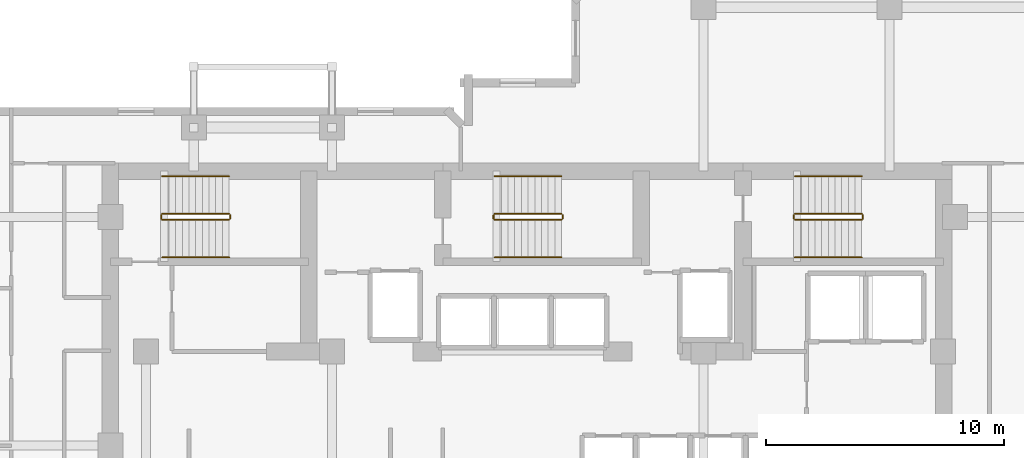
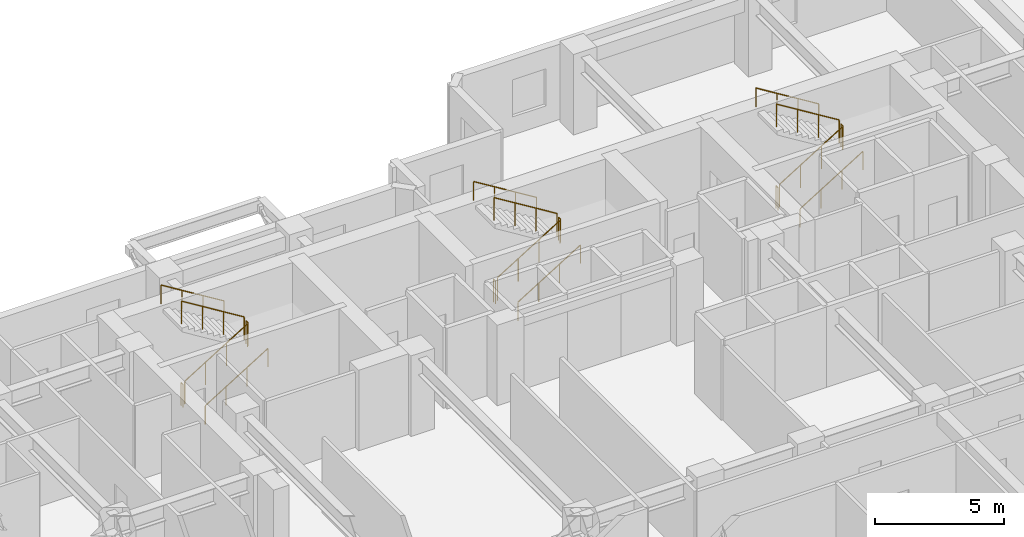
# One storey, part 11 of 11: 18 railings.
"""IFC4 building model written with IfcOpenShell, lengths in metres."""

from ifc_helpers import new_model, si_unit, direction, frame, origin, origin_2d, place, context, subcontext, project, spatial, circle, extrude, material, type_object, element, save


model = new_model("IFC4")

# Units and contexts
model_context = context("Model", 3, precision=1e-05, world=origin(), true_north=direction((0.0, 1.0)))
body_context = subcontext(model_context, "Body", "Model", "MODEL_VIEW")
ifc_project = project(units=[si_unit("LENGTHUNIT", "METRE"), si_unit("AREAUNIT", "SQUARE_METRE"), si_unit("VOLUMEUNIT", "CUBIC_METRE"), si_unit("PLANEANGLEUNIT", "RADIAN"), si_unit("MASSUNIT", "GRAM", prefix="KILO")], contexts=[model_context])

# Site, building, storey
site_placement = place(None, origin())
site = spatial("IfcSite", under=ifc_project, at=site_placement, CompositionType="ELEMENT")
building_placement = place(site_placement, origin())
building = spatial("IfcBuilding", under=site, at=building_placement, Name="Kestravale Grand Hotel", CompositionType="ELEMENT")
storey_placement = place(building_placement, frame((0.0, 0.0, 172.60009765625)))
storey = spatial("IfcBuildingStorey", under=building, at=storey_placement, Name="L43", CompositionType="ELEMENT", Elevation=172.60009765625)

# Railings
ifc_material_1 = material(Name="Painted tubular steel stair well guard", Category="steel")
railing_type_1 = type_object("IfcRailingType", Name="RL-ST-GRD1100", PredefinedType="GUARDRAIL", material=ifc_material_1)
railing_1_placement = place(storey_placement, frame((24.080078125, 38.280029296875, 0.172607421875)))
element("IfcRailing", 1, at=railing_1_placement, inside=storey, type_object=railing_type_1, Name="L43 ST-1 stair guard 1", PredefinedType="GUARDRAIL", context=body_context, shape_type="SweptSolid", body=[
    extrude(circle(Radius=0.02392578125, at=origin_2d()), frame((0.0, 0.0, 1.076171875), z_axis=(0.851069175582, 0.0, 0.525053576669), x_axis=(0.0, 1.0, 0.0)), (0.0, 0.0, 1.0), 3.289794921875),
    extrude(circle(Radius=0.02099609375, at=origin_2d()), origin(), (0.0, 0.0, 1.0), 1.052001953125),
    extrude(circle(Radius=0.02099609375, at=origin_2d()), frame((0.933349609375, 0.0, 0.57568359375)), (0.0, 0.0, 1.0), 1.052001953125),
    extrude(circle(Radius=0.02099609375, at=origin_2d()), frame((1.866455078125, 0.0, 1.151611328125)), (0.0, 0.0, 1.0), 1.052001953125),
    extrude(circle(Radius=0.02099609375, at=origin_2d()), frame((2.7998046875, 0.0, 1.727294921875)), (0.0, 0.0, 1.0), 1.052001953125),
])
railing_2_placement = place(storey_placement, frame((26.929931640625, 38.330078125, 1.89990234375)))
element("IfcRailing", 2, at=railing_2_placement, inside=storey, type_object=railing_type_1, Name="L43 ST-1 stair guard 2", PredefinedType="GUARDRAIL", context=body_context, shape_type="SweptSolid", body=[
    extrude(circle(Radius=0.02392578125, at=origin_2d()), frame((0.0, 0.0, 1.076171875), z_axis=(0.0, 1.0, 0.0), x_axis=(-1.0, 0.0, 0.0)), (0.0, 0.0, 1.0), 0.14990234375),
    extrude(circle(Radius=0.02099609375, at=origin_2d()), origin(), (0.0, 0.0, 1.0), 1.052001953125),
    extrude(circle(Radius=0.02099609375, at=origin_2d()), frame((0.0, 0.14990234375, 0.0)), (0.0, 0.0, 1.0), 1.052001953125),
])
railing_3_placement = place(storey_placement, frame((26.8798828125, 38.530029296875, 2.072509765625)))
element("IfcRailing", 3, at=railing_3_placement, inside=storey, type_object=railing_type_1, Name="L43 ST-1 stair guard 3", PredefinedType="GUARDRAIL", context=body_context, shape_type="SweptSolid", body=[
    extrude(circle(Radius=0.02392578125, at=origin_2d()), frame((0.0, 0.0, 1.076171875), z_axis=(-0.851069175582, 0.0, 0.525053576669), x_axis=(0.0, -1.0, 0.0)), (0.0, 0.0, 1.0), 3.289794921875),
    extrude(circle(Radius=0.02099609375, at=origin_2d()), origin(), (0.0, 0.0, 1.0), 1.052001953125),
    extrude(circle(Radius=0.02099609375, at=origin_2d()), frame((-0.933349609375, 0.0, 0.57568359375)), (0.0, 0.0, 1.0), 1.052001953125),
    extrude(circle(Radius=0.02099609375, at=origin_2d()), frame((-1.866455078125, 0.0, 1.151611328125)), (0.0, 0.0, 1.0), 1.052001953125),
    extrude(circle(Radius=0.02099609375, at=origin_2d()), frame((-2.7998046875, 0.0, 1.727294921875)), (0.0, 0.0, 1.0), 1.052001953125),
])
railing_4_placement = place(storey_placement, frame((24.030029296875, 38.330078125, 0.0)))
element("IfcRailing", 4, at=railing_4_placement, inside=storey, type_object=railing_type_1, Name="L43 ST-1 stair guard 4", PredefinedType="GUARDRAIL", context=body_context, shape_type="SweptSolid", body=[
    extrude(circle(Radius=0.02392578125, at=origin_2d()), frame((0.0, 0.0, 1.076171875), z_axis=(0.0, 1.0, 0.0), x_axis=(-1.0, 0.0, 0.0)), (0.0, 0.0, 1.0), 0.14990234375),
    extrude(circle(Radius=0.02099609375, at=origin_2d()), origin(), (0.0, 0.0, 1.0), 1.052001953125),
    extrude(circle(Radius=0.02099609375, at=origin_2d()), frame((0.0, 0.14990234375, 0.0)), (0.0, 0.0, 1.0), 1.052001953125),
])
railing_5_placement = place(storey_placement, frame((38.030029296875, 38.280029296875, 0.172607421875)))
element("IfcRailing", 5, at=railing_5_placement, inside=storey, type_object=railing_type_1, Name="L43 ST-2 stair guard 1", PredefinedType="GUARDRAIL", context=body_context, shape_type="SweptSolid", body=[
    extrude(circle(Radius=0.02392578125, at=origin_2d()), frame((0.0, 0.0, 1.076171875), z_axis=(0.851089632645, 0.0, 0.525020415988), x_axis=(0.0, 1.0, 0.0)), (0.0, 0.0, 1.0), 3.2900390625),
    extrude(circle(Radius=0.02099609375, at=origin_2d()), origin(), (0.0, 0.0, 1.0), 1.052001953125),
    extrude(circle(Radius=0.02099609375, at=origin_2d()), frame((0.933349609375, 0.0, 0.57568359375)), (0.0, 0.0, 1.0), 1.052001953125),
    extrude(circle(Radius=0.02099609375, at=origin_2d()), frame((1.86669921875, 0.0, 1.151611328125)), (0.0, 0.0, 1.0), 1.052001953125),
    extrude(circle(Radius=0.02099609375, at=origin_2d()), frame((2.800048828125, 0.0, 1.727294921875)), (0.0, 0.0, 1.0), 1.052001953125),
])
railing_6_placement = place(storey_placement, frame((40.8798828125, 38.330078125, 1.89990234375)))
element("IfcRailing", 6, at=railing_6_placement, inside=storey, type_object=railing_type_1, Name="L43 ST-2 stair guard 2", PredefinedType="GUARDRAIL", context=body_context, shape_type="SweptSolid", body=[
    extrude(circle(Radius=0.02392578125, at=origin_2d()), frame((0.0, 0.0, 1.076171875), z_axis=(0.0, 1.0, 0.0), x_axis=(-1.0, 0.0, 0.0)), (0.0, 0.0, 1.0), 0.14990234375),
    extrude(circle(Radius=0.02099609375, at=origin_2d()), origin(), (0.0, 0.0, 1.0), 1.052001953125),
    extrude(circle(Radius=0.02099609375, at=origin_2d()), frame((0.0, 0.14990234375, 0.0)), (0.0, 0.0, 1.0), 1.052001953125),
])
railing_7_placement = place(storey_placement, frame((40.830078125, 38.530029296875, 2.072509765625)))
element("IfcRailing", 7, at=railing_7_placement, inside=storey, type_object=railing_type_1, Name="L43 ST-2 stair guard 3", PredefinedType="GUARDRAIL", context=body_context, shape_type="SweptSolid", body=[
    extrude(circle(Radius=0.02392578125, at=origin_2d()), frame((0.0, 0.0, 1.076171875), z_axis=(-0.851089632645, 0.0, 0.525020415988), x_axis=(0.0, -1.0, 0.0)), (0.0, 0.0, 1.0), 3.2900390625),
    extrude(circle(Radius=0.02099609375, at=origin_2d()), origin(), (0.0, 0.0, 1.0), 1.052001953125),
    extrude(circle(Radius=0.02099609375, at=origin_2d()), frame((-0.933349609375, 0.0, 0.57568359375)), (0.0, 0.0, 1.0), 1.052001953125),
    extrude(circle(Radius=0.02099609375, at=origin_2d()), frame((-1.86669921875, 0.0, 1.151611328125)), (0.0, 0.0, 1.0), 1.052001953125),
    extrude(circle(Radius=0.02099609375, at=origin_2d()), frame((-2.800048828125, 0.0, 1.727294921875)), (0.0, 0.0, 1.0), 1.052001953125),
])
railing_8_placement = place(storey_placement, frame((37.97998046875, 38.330078125, 0.0)))
element("IfcRailing", 8, at=railing_8_placement, inside=storey, type_object=railing_type_1, Name="L43 ST-2 stair guard 4", PredefinedType="GUARDRAIL", context=body_context, shape_type="SweptSolid", body=[
    extrude(circle(Radius=0.02392578125, at=origin_2d()), frame((0.0, 0.0, 1.076171875), z_axis=(0.0, 1.0, 0.0), x_axis=(-1.0, 0.0, 0.0)), (0.0, 0.0, 1.0), 0.14990234375),
    extrude(circle(Radius=0.02099609375, at=origin_2d()), origin(), (0.0, 0.0, 1.0), 1.052001953125),
    extrude(circle(Radius=0.02099609375, at=origin_2d()), frame((0.0, 0.14990234375, 0.0)), (0.0, 0.0, 1.0), 1.052001953125),
])
railing_9_placement = place(storey_placement, frame((50.6298828125, 38.280029296875, 0.172607421875)))
element("IfcRailing", 9, at=railing_9_placement, inside=storey, type_object=railing_type_1, Name="L43 ST-3 stair guard 1", PredefinedType="GUARDRAIL", context=body_context, shape_type="SweptSolid", body=[
    extrude(circle(Radius=0.02392578125, at=origin_2d()), frame((0.0, 0.0, 1.076171875), z_axis=(0.851089632645, 0.0, 0.525020415988), x_axis=(0.0, 1.0, 0.0)), (0.0, 0.0, 1.0), 3.2900390625),
    extrude(circle(Radius=0.02099609375, at=origin_2d()), origin(), (0.0, 0.0, 1.0), 1.052001953125),
    extrude(circle(Radius=0.02099609375, at=origin_2d()), frame((0.933349609375, 0.0, 0.57568359375)), (0.0, 0.0, 1.0), 1.052001953125),
    extrude(circle(Radius=0.02099609375, at=origin_2d()), frame((1.86669921875, 0.0, 1.151611328125)), (0.0, 0.0, 1.0), 1.052001953125),
    extrude(circle(Radius=0.02099609375, at=origin_2d()), frame((2.800048828125, 0.0, 1.727294921875)), (0.0, 0.0, 1.0), 1.052001953125),
])
railing_10_placement = place(storey_placement, frame((53.47998046875, 38.330078125, 1.89990234375)))
element("IfcRailing", 10, at=railing_10_placement, inside=storey, type_object=railing_type_1, Name="L43 ST-3 stair guard 2", PredefinedType="GUARDRAIL", context=body_context, shape_type="SweptSolid", body=[
    extrude(circle(Radius=0.02392578125, at=origin_2d()), frame((0.0, 0.0, 1.076171875), z_axis=(0.0, 1.0, 0.0), x_axis=(-1.0, 0.0, 0.0)), (0.0, 0.0, 1.0), 0.14990234375),
    extrude(circle(Radius=0.02099609375, at=origin_2d()), origin(), (0.0, 0.0, 1.0), 1.052001953125),
    extrude(circle(Radius=0.02099609375, at=origin_2d()), frame((0.0, 0.14990234375, 0.0)), (0.0, 0.0, 1.0), 1.052001953125),
])
railing_11_placement = place(storey_placement, frame((53.429931640625, 38.530029296875, 2.072509765625)))
element("IfcRailing", 11, at=railing_11_placement, inside=storey, type_object=railing_type_1, Name="L43 ST-3 stair guard 3", PredefinedType="GUARDRAIL", context=body_context, shape_type="SweptSolid", body=[
    extrude(circle(Radius=0.02392578125, at=origin_2d()), frame((0.0, 0.0, 1.076171875), z_axis=(-0.851089632645, 0.0, 0.525020415988), x_axis=(0.0, -1.0, 0.0)), (0.0, 0.0, 1.0), 3.2900390625),
    extrude(circle(Radius=0.02099609375, at=origin_2d()), origin(), (0.0, 0.0, 1.0), 1.052001953125),
    extrude(circle(Radius=0.02099609375, at=origin_2d()), frame((-0.933349609375, 0.0, 0.57568359375)), (0.0, 0.0, 1.0), 1.052001953125),
    extrude(circle(Radius=0.02099609375, at=origin_2d()), frame((-1.86669921875, 0.0, 1.151611328125)), (0.0, 0.0, 1.0), 1.052001953125),
    extrude(circle(Radius=0.02099609375, at=origin_2d()), frame((-2.800048828125, 0.0, 1.727294921875)), (0.0, 0.0, 1.0), 1.052001953125),
])
railing_12_placement = place(storey_placement, frame((50.580078125, 38.330078125, 0.0)))
element("IfcRailing", 12, at=railing_12_placement, inside=storey, type_object=railing_type_1, Name="L43 ST-3 stair guard 4", PredefinedType="GUARDRAIL", context=body_context, shape_type="SweptSolid", body=[
    extrude(circle(Radius=0.02392578125, at=origin_2d()), frame((0.0, 0.0, 1.076171875), z_axis=(0.0, 1.0, 0.0), x_axis=(-1.0, 0.0, 0.0)), (0.0, 0.0, 1.0), 0.14990234375),
    extrude(circle(Radius=0.02099609375, at=origin_2d()), origin(), (0.0, 0.0, 1.0), 1.052001953125),
    extrude(circle(Radius=0.02099609375, at=origin_2d()), frame((0.0, 0.14990234375, 0.0)), (0.0, 0.0, 1.0), 1.052001953125),
])
ifc_material_2 = material(Name="Brushed stainless steel wall handrail", Category="steel")
railing_type_2 = type_object("IfcRailingType", Name="RL-ST-HND900", PredefinedType="HANDRAIL", material=ifc_material_2)
railing_13_placement = place(storey_placement, frame((24.080078125, 36.699951171875, 0.172607421875)))
element("IfcRailing", 13, at=railing_13_placement, inside=storey, type_object=railing_type_2, Name="L43 ST-1 stair handrail 1", PredefinedType="HANDRAIL", context=body_context, shape_type="SweptSolid", body=[
    extrude(circle(Radius=0.02392578125, at=origin_2d()), frame((0.0, 0.0, 0.8759765625), z_axis=(0.851069175582, 0.0, 0.525053576669), x_axis=(0.0, 1.0, 0.0)), (0.0, 0.0, 1.0), 3.289794921875),
    extrude(circle(Radius=0.02099609375, at=origin_2d()), origin(), (0.0, 0.0, 1.0), 0.851806640625),
    extrude(circle(Radius=0.02099609375, at=origin_2d()), frame((0.933349609375, 0.0, 0.57568359375)), (0.0, 0.0, 1.0), 0.851806640625),
    extrude(circle(Radius=0.02099609375, at=origin_2d()), frame((1.866455078125, 0.0, 1.151611328125)), (0.0, 0.0, 1.0), 0.851806640625),
    extrude(circle(Radius=0.02099609375, at=origin_2d()), frame((2.7998046875, 0.0, 1.727294921875)), (0.0, 0.0, 1.0), 0.851806640625),
])
railing_14_placement = place(storey_placement, frame((26.8798828125, 40.110107421875, 2.072509765625)))
element("IfcRailing", 14, at=railing_14_placement, inside=storey, type_object=railing_type_2, Name="L43 ST-1 stair handrail 2", PredefinedType="HANDRAIL", context=body_context, shape_type="SweptSolid", body=[
    extrude(circle(Radius=0.02392578125, at=origin_2d()), frame((0.0, 0.0, 0.8759765625), z_axis=(-0.851069175582, 0.0, 0.525053576669), x_axis=(0.0, -1.0, 0.0)), (0.0, 0.0, 1.0), 3.289794921875),
    extrude(circle(Radius=0.02099609375, at=origin_2d()), origin(), (0.0, 0.0, 1.0), 0.851806640625),
    extrude(circle(Radius=0.02099609375, at=origin_2d()), frame((-0.933349609375, 0.0, 0.57568359375)), (0.0, 0.0, 1.0), 0.851806640625),
    extrude(circle(Radius=0.02099609375, at=origin_2d()), frame((-1.866455078125, 0.0, 1.151611328125)), (0.0, 0.0, 1.0), 0.851806640625),
    extrude(circle(Radius=0.02099609375, at=origin_2d()), frame((-2.7998046875, 0.0, 1.727294921875)), (0.0, 0.0, 1.0), 0.851806640625),
])
railing_15_placement = place(storey_placement, frame((38.030029296875, 36.699951171875, 0.172607421875)))
element("IfcRailing", 15, at=railing_15_placement, inside=storey, type_object=railing_type_2, Name="L43 ST-2 stair handrail 1", PredefinedType="HANDRAIL", context=body_context, shape_type="SweptSolid", body=[
    extrude(circle(Radius=0.02392578125, at=origin_2d()), frame((0.0, 0.0, 0.8759765625), z_axis=(0.851089632645, 0.0, 0.525020415988), x_axis=(0.0, 1.0, 0.0)), (0.0, 0.0, 1.0), 3.2900390625),
    extrude(circle(Radius=0.02099609375, at=origin_2d()), origin(), (0.0, 0.0, 1.0), 0.851806640625),
    extrude(circle(Radius=0.02099609375, at=origin_2d()), frame((0.933349609375, 0.0, 0.57568359375)), (0.0, 0.0, 1.0), 0.851806640625),
    extrude(circle(Radius=0.02099609375, at=origin_2d()), frame((1.86669921875, 0.0, 1.151611328125)), (0.0, 0.0, 1.0), 0.851806640625),
    extrude(circle(Radius=0.02099609375, at=origin_2d()), frame((2.800048828125, 0.0, 1.727294921875)), (0.0, 0.0, 1.0), 0.851806640625),
])
railing_16_placement = place(storey_placement, frame((40.830078125, 40.110107421875, 2.072509765625)))
element("IfcRailing", 16, at=railing_16_placement, inside=storey, type_object=railing_type_2, Name="L43 ST-2 stair handrail 2", PredefinedType="HANDRAIL", context=body_context, shape_type="SweptSolid", body=[
    extrude(circle(Radius=0.02392578125, at=origin_2d()), frame((0.0, 0.0, 0.8759765625), z_axis=(-0.851089632645, 0.0, 0.525020415988), x_axis=(0.0, -1.0, 0.0)), (0.0, 0.0, 1.0), 3.2900390625),
    extrude(circle(Radius=0.02099609375, at=origin_2d()), origin(), (0.0, 0.0, 1.0), 0.851806640625),
    extrude(circle(Radius=0.02099609375, at=origin_2d()), frame((-0.933349609375, 0.0, 0.57568359375)), (0.0, 0.0, 1.0), 0.851806640625),
    extrude(circle(Radius=0.02099609375, at=origin_2d()), frame((-1.86669921875, 0.0, 1.151611328125)), (0.0, 0.0, 1.0), 0.851806640625),
    extrude(circle(Radius=0.02099609375, at=origin_2d()), frame((-2.800048828125, 0.0, 1.727294921875)), (0.0, 0.0, 1.0), 0.851806640625),
])
railing_17_placement = place(storey_placement, frame((50.6298828125, 36.699951171875, 0.172607421875)))
element("IfcRailing", 17, at=railing_17_placement, inside=storey, type_object=railing_type_2, Name="L43 ST-3 stair handrail 1", PredefinedType="HANDRAIL", context=body_context, shape_type="SweptSolid", body=[
    extrude(circle(Radius=0.02392578125, at=origin_2d()), frame((0.0, 0.0, 0.8759765625), z_axis=(0.851089632645, 0.0, 0.525020415988), x_axis=(0.0, 1.0, 0.0)), (0.0, 0.0, 1.0), 3.2900390625),
    extrude(circle(Radius=0.02099609375, at=origin_2d()), origin(), (0.0, 0.0, 1.0), 0.851806640625),
    extrude(circle(Radius=0.02099609375, at=origin_2d()), frame((0.933349609375, 0.0, 0.57568359375)), (0.0, 0.0, 1.0), 0.851806640625),
    extrude(circle(Radius=0.02099609375, at=origin_2d()), frame((1.86669921875, 0.0, 1.151611328125)), (0.0, 0.0, 1.0), 0.851806640625),
    extrude(circle(Radius=0.02099609375, at=origin_2d()), frame((2.800048828125, 0.0, 1.727294921875)), (0.0, 0.0, 1.0), 0.851806640625),
])
railing_18_placement = place(storey_placement, frame((53.429931640625, 40.110107421875, 2.072509765625)))
element("IfcRailing", 18, at=railing_18_placement, inside=storey, type_object=railing_type_2, Name="L43 ST-3 stair handrail 2", PredefinedType="HANDRAIL", context=body_context, shape_type="SweptSolid", body=[
    extrude(circle(Radius=0.02392578125, at=origin_2d()), frame((0.0, 0.0, 0.8759765625), z_axis=(-0.851089632645, 0.0, 0.525020415988), x_axis=(0.0, -1.0, 0.0)), (0.0, 0.0, 1.0), 3.2900390625),
    extrude(circle(Radius=0.02099609375, at=origin_2d()), origin(), (0.0, 0.0, 1.0), 0.851806640625),
    extrude(circle(Radius=0.02099609375, at=origin_2d()), frame((-0.933349609375, 0.0, 0.57568359375)), (0.0, 0.0, 1.0), 0.851806640625),
    extrude(circle(Radius=0.02099609375, at=origin_2d()), frame((-1.86669921875, 0.0, 1.151611328125)), (0.0, 0.0, 1.0), 0.851806640625),
    extrude(circle(Radius=0.02099609375, at=origin_2d()), frame((-2.800048828125, 0.0, 1.727294921875)), (0.0, 0.0, 1.0), 0.851806640625),
])

save(model, "model.ifc")
